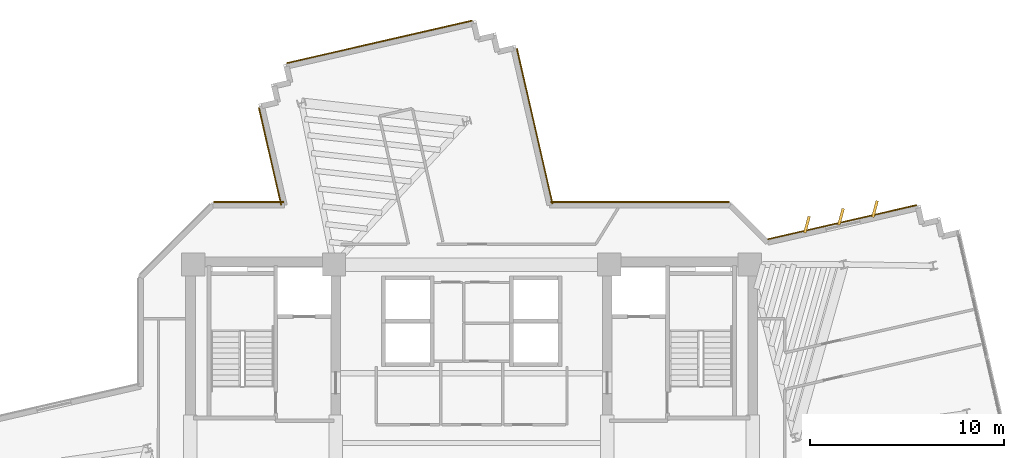
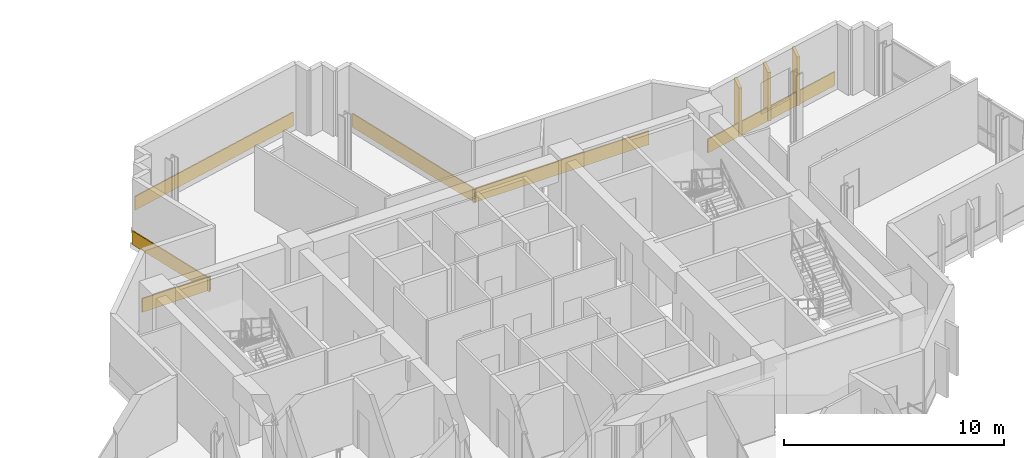
# One storey, part 13 of 13: 9 coverings.
"""IFC4 building model written with IfcOpenShell, lengths in metres."""

from ifc_helpers import new_model, si_unit, direction, frame, origin, origin_2d, place, context, subcontext, project, spatial, rectangle, extrude, source, transform, mapped, material, layer, layer_set, type_object, element, save


model = new_model("IFC4")

# Units and contexts
model_context = context("Model", 3, precision=1e-05, world=origin(), true_north=direction((0.0, 1.0)))
body_context = subcontext(model_context, "Body", "Model", "MODEL_VIEW")
ifc_project = project(units=[si_unit("LENGTHUNIT", "METRE"), si_unit("AREAUNIT", "SQUARE_METRE"), si_unit("VOLUMEUNIT", "CUBIC_METRE"), si_unit("PLANEANGLEUNIT", "RADIAN"), si_unit("MASSUNIT", "GRAM", prefix="KILO")], contexts=[model_context])

# Site, building, storey
site_placement = place(None, origin())
site = spatial("IfcSite", under=ifc_project, at=site_placement, CompositionType="ELEMENT")
building_placement = place(site_placement, origin())
building = spatial("IfcBuilding", under=site, at=building_placement, Name="Zahravan Cultural Tower", CompositionType="ELEMENT")
storey_placement = place(building_placement, frame((0.0, 0.0, 174.60009765625)))
storey = spatial("IfcBuildingStorey", under=building, at=storey_placement, Name="L40", CompositionType="ELEMENT", Elevation=174.60009765625)

# Coverings
ifc_material = material(Name="Terracotta ceramic cladding", Category="masonry")
ifc_layer = layer(ifc_material, 0.06005859375)
ifc_layer_set = layer_set([ifc_layer], Name="Terracotta ceramic cladding")
covering_type = type_object("IfcCoveringType", Name="COV-CLAD-TC60", PredefinedType="CLADDING", material=ifc_layer_set)
shared_shape_1 = source(origin(), body_context, "Body", "SweptSolid", [
    extrude(rectangle(XDim=0.8798828125, YDim=0.139892578125, at=origin_2d()), origin(), (0.0, 0.0, 1.0), 2.699951171875),
])
for number, where, z_axis, x_axis, name in (
    (1, (53.29541015625, 38.26220703125, 0.0498046875), (0.0, 0.0, 1.0), (0.260167479254, 0.965563505285, 0.0), "L40 Herringbone Terracotta Fin 01"),
    (2, (55.0498046875, 38.664794921875, 0.0498046875), (0.0, 0.0, 1.0), (0.260167479254, 0.965563505285, 0.0), "L40 Herringbone Terracotta Fin 02"),
    (3, (56.80419921875, 39.067138671875, 0.0498046875), (0.0, 0.0, 1.0), (0.260167479254, 0.965563505285, 0.0), "L40 Herringbone Terracotta Fin 03"),
):
    element("IfcCovering", number, at=place(storey_placement, frame(where, z_axis=z_axis, x_axis=x_axis)), inside=storey, type_object=covering_type, Name=name, PredefinedType="CLADDING", context=body_context, shape_type="MappedRepresentation", body=[
        mapped(shared_shape_1, transform((0.0, 0.0, 0.0), x_axis=(1.0, 0.0, 0.0), y_axis=(0.0, 1.0, 0.0), z_axis=(0.0, 0.0, 1.0), scale=1.0)),
    ])
shared_shape_2 = source(origin(), body_context, "Body", "SweptSolid", [
    extrude(rectangle(XDim=7.868896484375, YDim=0.06005859375, at=origin_2d()), origin(), (0.0, 0.0, 1.0), 0.760009765625),
])
covering_1_placement = place(storey_placement, frame((55.113525390625, 38.386962890625, 0.02001953125), z_axis=(0.0, 0.0, 1.0), x_axis=(0.974683205815, 0.223590358248, 0.0)))
element("IfcCovering", 4, at=covering_1_placement, inside=storey, type_object=covering_type, Name="L40 Terracotta Spandrel Cladding 01", PredefinedType="CLADDING", context=body_context, shape_type="MappedRepresentation", body=[
    mapped(shared_shape_2, transform((0.0, 0.0, 0.0), x_axis=(1.0, 0.0, 0.0), y_axis=(0.0, 1.0, 0.0), z_axis=(0.0, 0.0, 1.0), scale=1.0)),
])
shared_shape_3 = source(origin(), body_context, "Body", "SweptSolid", [
    extrude(rectangle(XDim=3.5966796875, YDim=0.06005859375, at=origin_2d()), origin(), (0.0, 0.0, 1.0), 0.760009765625),
])
covering_2_placement = place(storey_placement, frame((24.50634765625, 39.425048828125, 0.02001953125), z_axis=(0.0, 0.0, 1.0), x_axis=(1.0, 0.0, 0.0)))
element("IfcCovering", 5, at=covering_2_placement, inside=storey, type_object=covering_type, Name="L40 Terracotta Spandrel Cladding 39", PredefinedType="CLADDING", context=body_context, shape_type="MappedRepresentation", body=[
    mapped(shared_shape_3, transform((0.0, 0.0, 0.0), x_axis=(1.0, 0.0, 0.0), y_axis=(0.0, 1.0, 0.0), z_axis=(0.0, 0.0, 1.0), scale=1.0)),
])
shared_shape_4 = source(origin(), body_context, "Body", "SweptSolid", [
    extrude(rectangle(XDim=5.15380859375, YDim=0.06005859375, at=origin_2d()), origin(), (0.0, 0.0, 1.0), 0.760009765625),
])
covering_3_placement = place(storey_placement, frame((25.6064453125, 41.783447265625, 0.02001953125), z_axis=(0.0, 0.0, 1.0), x_axis=(-0.223590358248, 0.974683205815, 0.0)))
element("IfcCovering", 6, at=covering_3_placement, inside=storey, type_object=covering_type, Name="L40 Terracotta Spandrel Cladding 40", PredefinedType="CLADDING", context=body_context, shape_type="MappedRepresentation", body=[
    mapped(shared_shape_4, transform((0.0, 0.0, 0.0), x_axis=(1.0, 0.0, 0.0), y_axis=(0.0, 1.0, 0.0), z_axis=(0.0, 0.0, 1.0), scale=1.0)),
])
shared_shape_5 = source(origin(), body_context, "Body", "SweptSolid", [
    extrude(rectangle(XDim=9.81982421875, YDim=0.06005859375, at=origin_2d()), origin(), (0.0, 0.0, 1.0), 0.760009765625),
])
covering_4_placement = place(storey_placement, frame((31.25439453125, 47.6875, 0.02001953125), z_axis=(0.0, 0.0, 1.0), x_axis=(0.974683205815, 0.223590358248, 0.0)))
element("IfcCovering", 7, at=covering_4_placement, inside=storey, type_object=covering_type, Name="L40 Terracotta Spandrel Cladding 45", PredefinedType="CLADDING", context=body_context, shape_type="MappedRepresentation", body=[
    mapped(shared_shape_5, transform((0.0, 0.0, 0.0), x_axis=(1.0, 0.0, 0.0), y_axis=(0.0, 1.0, 0.0), z_axis=(0.0, 0.0, 1.0), scale=1.0)),
])
shared_shape_6 = source(origin(), body_context, "Body", "SweptSolid", [
    extrude(rectangle(XDim=8.209228515625, YDim=0.06005859375, at=origin_2d()), origin(), (0.0, 0.0, 1.0), 0.760009765625),
])
covering_5_placement = place(storey_placement, frame((39.25244140625, 43.34619140625, 0.02001953125), z_axis=(0.0, 0.0, 1.0), x_axis=(0.223607369645, -0.974679303279, 0.0)))
element("IfcCovering", 8, at=covering_5_placement, inside=storey, type_object=covering_type, Name="L40 Terracotta Spandrel Cladding 50", PredefinedType="CLADDING", context=body_context, shape_type="MappedRepresentation", body=[
    mapped(shared_shape_6, transform((0.0, 0.0, 0.0), x_axis=(1.0, 0.0, 0.0), y_axis=(0.0, 1.0, 0.0), z_axis=(0.0, 0.0, 1.0), scale=1.0)),
])
shared_shape_7 = source(origin(), body_context, "Body", "SweptSolid", [
    extrude(rectangle(XDim=9.221435546875, YDim=0.06005859375, at=origin_2d()), origin(), (0.0, 0.0, 1.0), 0.760009765625),
])
covering_6_placement = place(storey_placement, frame((44.681396484375, 39.425048828125, 0.02001953125), z_axis=(0.0, 0.0, 1.0), x_axis=(1.0, 0.0, 0.0)))
element("IfcCovering", 9, at=covering_6_placement, inside=storey, type_object=covering_type, Name="L40 Terracotta Spandrel Cladding 51", PredefinedType="CLADDING", context=body_context, shape_type="MappedRepresentation", body=[
    mapped(shared_shape_7, transform((0.0, 0.0, 0.0), x_axis=(1.0, 0.0, 0.0), y_axis=(0.0, 1.0, 0.0), z_axis=(0.0, 0.0, 1.0), scale=1.0)),
])

save(model, "model.ifc")
